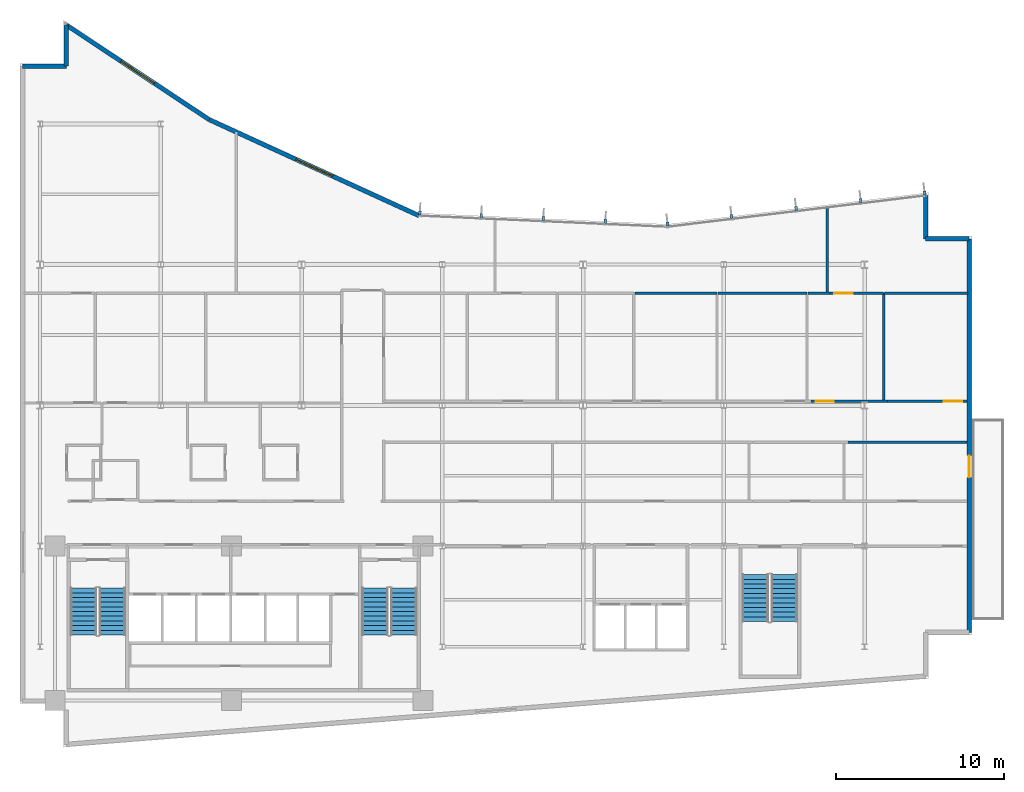
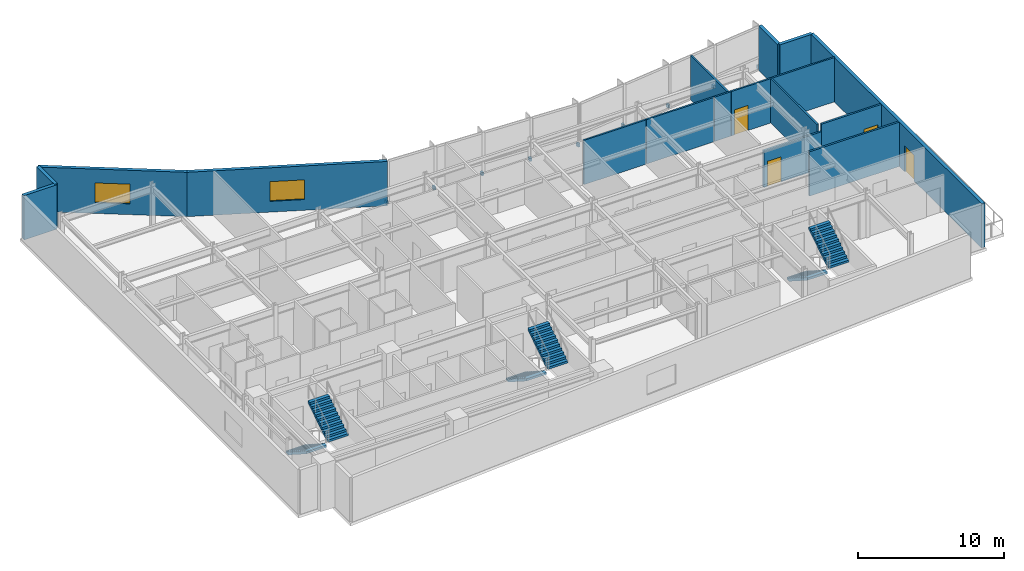
# One storey, part 12 of 17: 17 walls, 9 discrete accessories, 6 stair flights, 4 doors, 2 windows, 6 openings, 3 elements without a shape of their own.
"""IFC4 building model written with IfcOpenShell, lengths in metres."""

from ifc_helpers import new_model, si_unit, direction, frame, frame_2d, origin, origin_2d, place, context, subcontext, project, spatial, polyline, rectangle, outline, extrude, material, layer, layer_set, type_object, element, fill, aggregate, save


model = new_model("IFC4")

# Units and contexts
model_context = context("Model", 3, precision=1e-05, world=origin(), true_north=direction((0.0, 1.0)))
body_context = subcontext(model_context, "Body", "Model", "MODEL_VIEW")
ifc_project = project(units=[si_unit("LENGTHUNIT", "METRE"), si_unit("AREAUNIT", "SQUARE_METRE"), si_unit("VOLUMEUNIT", "CUBIC_METRE"), si_unit("PLANEANGLEUNIT", "RADIAN"), si_unit("MASSUNIT", "GRAM", prefix="KILO")], contexts=[model_context])

# Site, building, storey
site_placement = place(None, origin())
site = spatial("IfcSite", under=ifc_project, at=site_placement, CompositionType="ELEMENT")
building_placement = place(site_placement, origin())
building = spatial("IfcBuilding", under=site, at=building_placement, Name="Varnakote Quay Hospital", CompositionType="ELEMENT")
storey_placement = place(building_placement, frame((0.0, 0.0, 111.25)))
storey = spatial("IfcBuildingStorey", under=building, at=storey_placement, Name="L27", CompositionType="ELEMENT", Elevation=111.25)

# Wall, opening, door
ifc_material_1 = material(Name="Precast concrete N50 (f'c 50 MPa)", Category="concrete")
ifc_layer_1 = layer(ifc_material_1, 0.260009765625)
ifc_layer_set_1 = layer_set([ifc_layer_1], Name="Precast concrete N50 (f'c 50 MPa)")
wall_type_1 = type_object("IfcWallType", Name="WL-EXT-BRICK-260", PredefinedType="STANDARD", material=ifc_layer_set_1)
wall_1_placement = place(storey_placement, frame((56.639892578125, 6.860107421875, 0.0), z_axis=(0.0, 0.0, 1.0), x_axis=(0.0, 1.0, 0.0)))
wall_1 = element("IfcWall", 1, at=wall_1_placement, inside=storey, type_object=wall_type_1, Name="L27 Healing Terrace Portal Brick Wall", PredefinedType="STANDARD", context=body_context, shape_type="SweptSolid", body=[
    extrude(rectangle(XDim=23.47998046875, YDim=0.260009765625, at=frame_2d((11.739990234375, 0.0))), origin(), (0.0, 0.0, 1.0), 3.7099609375),
])
opening_1_placement = place(wall_1_placement, frame((9.239990234375, 0.0, 0.0)))
opening_1 = element("IfcOpeningElement", 2, at=opening_1_placement, cuts=wall_1, Name="Opening DT-L27", PredefinedType="OPENING", context=body_context, shape_type="SweptSolid", body=[
    extrude(rectangle(XDim=1.300048828125, YDim=2.14990234375, at=frame_2d((0.64990234375, 1.074951171875))), frame((0.0, 0.139892578125, 0.0), z_axis=(0.0, -1.0, 0.0), x_axis=(1.0, 0.0, 0.0)), (0.0, 0.0, 1.0), 0.280029296875),
])
ifc_material_2 = material(Name="Anodised aluminium glazed terrace door", Category="aluminium")
door_type_1 = type_object("IfcDoorType", Name="DR-EXT-TERR-1300x2150", OperationType="NOTDEFINED", PredefinedType="DOOR", material=ifc_material_2)
door_1_placement = place(opening_1_placement, origin())
door_1 = element("IfcDoor", 3, at=door_1_placement, inside=storey, type_object=door_type_1, Name="L27 Waterfront Healing Terrace Door", OperationType="SINGLE_SWING_RIGHT", OverallHeight=2.14990234375, OverallWidth=1.300048828125, PredefinedType="DOOR", context=body_context, shape_type="SweptSolid", body=[
    extrude(rectangle(XDim=1.300048828125, YDim=2.14990234375, at=frame_2d((0.64990234375, 1.074951171875))), frame((0.0, 0.02490234375, 0.0), z_axis=(0.0, -1.0, 0.0), x_axis=(1.0, 0.0, 0.0)), (0.0, 0.0, 1.0), 0.050048828125),
])
fill(opening_1, door_1)

# Walls
wall_2_placement = place(storey_placement, frame((56.639892578125, 30.340087890625, 0.0), z_axis=(0.0, 0.0, 1.0), x_axis=(-1.0, 0.0, 0.0)))
element("IfcWall", 4, at=wall_2_placement, inside=storey, type_object=wall_type_1, Name="L27 Brick-Faced Precast Exterior Wall", PredefinedType="STANDARD", context=body_context, shape_type="SweptSolid", body=[
    extrude(rectangle(XDim=2.599853515625, YDim=0.260009765625, at=frame_2d((1.2998046875, 0.0))), origin(), (0.0, 0.0, 1.0), 3.7099609375),
])
wall_3_placement = place(storey_placement, frame((54.0400390625, 30.340087890625, 0.0), z_axis=(0.0, 0.0, 1.0), x_axis=(0.0, 1.0, 0.0)))
element("IfcWall", 5, at=wall_3_placement, inside=storey, type_object=wall_type_1, Name="L27 Brick-Faced Precast Exterior Wall", PredefinedType="STANDARD", context=body_context, shape_type="SweptSolid", body=[
    extrude(rectangle(XDim=2.579345703125, YDim=0.260009765625, at=frame_2d((1.28955078125, 0.0))), origin(), (0.0, 0.0, 1.0), 3.7099609375),
])

# Wall, opening, window
wall_4_placement = place(storey_placement, frame((23.817626953125, 31.715576171875, 0.0), z_axis=(0.0, 0.0, 1.0), x_axis=(-0.909209527513, 0.416338846471, 0.0)))
wall_4 = element("IfcWall", 6, at=wall_4_placement, inside=storey, type_object=wall_type_1, Name="L27 Brick-Faced Precast Exterior Wall", PredefinedType="STANDARD", context=body_context, shape_type="SweptSolid", body=[
    extrude(rectangle(XDim=13.787353515625, YDim=0.260009765625, at=frame_2d((6.8935546875, 0.0))), origin(), (0.0, 0.0, 1.0), 3.7099609375),
])
opening_2_placement = place(wall_4_placement, frame((5.693603515625, 0.0, 0.89990234375)))
opening_2 = element("IfcOpeningElement", 7, at=opening_2_placement, cuts=wall_4, Name="Opening WN-0119", PredefinedType="OPENING", context=body_context, shape_type="SweptSolid", body=[
    extrude(rectangle(XDim=2.39990234375, YDim=1.64990234375, at=frame_2d((1.199951171875, 0.824951171875))), frame((0.0, 0.139892578125, 0.0), z_axis=(0.0, -1.0, 0.0), x_axis=(1.0, 0.0, 0.0)), (0.0, 0.0, 1.0), 0.280029296875),
])
ifc_material_3 = material(Name="Double-glazed low-E solar glass", Category="glass")
window_type = type_object("IfcWindowType", Name="WIN-CLIN-2400x1650", PartitioningType="SINGLE_PANEL", PredefinedType="WINDOW", material=ifc_material_3)
window_1_placement = place(opening_2_placement, origin())
window_1 = element("IfcWindow", 8, at=window_1_placement, inside=storey, type_object=window_type, Name="L27 Solar-Control Clinical Window", OverallHeight=1.64990234375, OverallWidth=2.39990234375, PartitioningType="SINGLE_PANEL", PredefinedType="WINDOW", context=body_context, shape_type="SweptSolid", body=[
    extrude(rectangle(XDim=2.39990234375, YDim=1.64990234375, at=frame_2d((1.199951171875, 0.824951171875))), frame((0.0, 0.030029296875, 0.0), z_axis=(0.0, -1.0, 0.0), x_axis=(1.0, 0.0, 0.0)), (0.0, 0.0, 1.0), 0.06005859375),
])
fill(opening_2, window_1)

wall_5_placement = place(storey_placement, frame((11.281982421875, 37.455810546875, 0.0), z_axis=(0.0, 0.0, 1.0), x_axis=(-0.833630474253, 0.552322580017, 0.0)))
wall_5 = element("IfcWall", 9, at=wall_5_placement, inside=storey, type_object=wall_type_1, Name="L27 Brick-Faced Precast Exterior Wall", PredefinedType="STANDARD", context=body_context, shape_type="SweptSolid", body=[
    extrude(rectangle(XDim=10.22265625, YDim=0.260009765625, at=frame_2d((5.111328125, 0.0))), origin(), (0.0, 0.0, 1.0), 3.7099609375),
])
opening_3_placement = place(wall_5_placement, frame((3.911376953125, 0.0, 0.89990234375)))
opening_3 = element("IfcOpeningElement", 10, at=opening_3_placement, cuts=wall_5, Name="Opening WN-0120", PredefinedType="OPENING", context=body_context, shape_type="SweptSolid", body=[
    extrude(rectangle(XDim=2.39990234375, YDim=1.64990234375, at=frame_2d((1.199951171875, 0.824951171875))), frame((0.0, 0.139892578125, 0.0), z_axis=(0.0, -1.0, 0.0), x_axis=(1.0, 0.0, 0.0)), (0.0, 0.0, 1.0), 0.280029296875),
])
window_2_placement = place(opening_3_placement, origin())
window_2 = element("IfcWindow", 11, at=window_2_placement, inside=storey, type_object=window_type, Name="L27 Solar-Control Clinical Window", OverallHeight=1.64990234375, OverallWidth=2.39990234375, PartitioningType="SINGLE_PANEL", PredefinedType="WINDOW", context=body_context, shape_type="SweptSolid", body=[
    extrude(rectangle(XDim=2.39990234375, YDim=1.64990234375, at=frame_2d((1.199951171875, 0.824951171875))), frame((0.0, 0.030029296875, 0.0), z_axis=(0.0, -1.0, 0.0), x_axis=(1.0, 0.0, 0.0)), (0.0, 0.0, 1.0), 0.06005859375),
])
fill(opening_3, window_2)

# Walls
wall_6_placement = place(storey_placement, frame((2.760009765625, 43.10205078125, 0.0), z_axis=(0.0, 0.0, 1.0), x_axis=(0.0, -1.0, 0.0)))
element("IfcWall", 12, at=wall_6_placement, inside=storey, type_object=wall_type_1, Name="L27 Brick-Faced Precast Exterior Wall", PredefinedType="STANDARD", context=body_context, shape_type="SweptSolid", body=[
    extrude(rectangle(XDim=2.462158203125, YDim=0.260009765625, at=frame_2d((1.23095703125, 0.0))), origin(), (0.0, 0.0, 1.0), 3.7099609375),
])
wall_7_placement = place(storey_placement, frame((2.760009765625, 40.639892578125, 0.0), z_axis=(0.0, 0.0, 1.0), x_axis=(-1.0, 0.0, 0.0)))
element("IfcWall", 13, at=wall_7_placement, inside=storey, type_object=wall_type_1, Name="L27 Brick-Faced Precast Exterior Wall", PredefinedType="STANDARD", context=body_context, shape_type="SweptSolid", body=[
    extrude(rectangle(XDim=2.60009765625, YDim=0.260009765625, at=frame_2d((1.300048828125, 0.0))), origin(), (0.0, 0.0, 1.0), 3.7099609375),
])
ifc_material_4 = material(Name="Smoke-proof clinical partition", Category="gypsum")
ifc_layer_2 = layer(ifc_material_4, 0.135009765625)
ifc_layer_set_2 = layer_set([ifc_layer_2], Name="Smoke-proof clinical partition")
wall_type_2 = type_object("IfcWallType", Name="WL-SMOKE-135", PredefinedType="PARTITIONING", material=ifc_layer_set_2)
wall_8_placement = place(storey_placement, frame((41.60009765625, 27.10009765625, 0.0), z_axis=(0.0, 0.0, 1.0), x_axis=(-1.0, 0.0, 0.0)))
element("IfcWall", 14, at=wall_8_placement, inside=storey, type_object=wall_type_2, Name="L27 Clinical Interior Partition", PredefinedType="PARTITIONING", context=body_context, shape_type="SweptSolid", body=[
    extrude(rectangle(XDim=4.91259765625, YDim=0.135009765625, at=frame_2d((2.456298828125, 0.0))), origin(), (0.0, 0.0, 1.0), 3.7099609375),
])
wall_9_placement = place(storey_placement, frame((46.969970703125, 27.10009765625, 0.0), z_axis=(0.0, 0.0, 1.0), x_axis=(-1.0, 0.0, 0.0)))
element("IfcWall", 15, at=wall_9_placement, inside=storey, type_object=wall_type_2, Name="L27 Clinical Interior Partition", PredefinedType="PARTITIONING", context=body_context, shape_type="SweptSolid", body=[
    extrude(rectangle(XDim=5.3125, YDim=0.135009765625, at=frame_2d((2.65625, 0.0))), origin(), (0.0, 0.0, 1.0), 3.7099609375),
])
wall_10_placement = place(storey_placement, frame((51.5400390625, 20.715087890625, 0.0), z_axis=(0.0, 0.0, 1.0), x_axis=(0.0, 1.0, 0.0)))
element("IfcWall", 16, at=wall_10_placement, inside=storey, type_object=wall_type_2, Name="L27 Clinical Interior Partition", PredefinedType="PARTITIONING", context=body_context, shape_type="SweptSolid", body=[
    extrude(rectangle(XDim=6.385009765625, YDim=0.135009765625, at=frame_2d((3.1923828125, 0.0))), origin(), (0.0, 0.0, 1.0), 3.7099609375),
])
wall_11_placement = place(storey_placement, frame((48.348388671875, 27.10009765625, 0.0), z_axis=(0.0, 0.0, 1.0), x_axis=(-1.0, 0.0, 0.0)))
element("IfcWall", 17, at=wall_11_placement, inside=storey, type_object=wall_type_2, Name="L27 Clinical Interior Partition", PredefinedType="PARTITIONING", context=body_context, shape_type="SweptSolid", body=[
    extrude(rectangle(XDim=1.32080078125, YDim=0.135009765625, at=frame_2d((0.660400390625, 0.0))), origin(), (0.0, 0.0, 1.0), 3.7099609375),
])

# Wall, opening, door
wall_12_placement = place(storey_placement, frame((51.5400390625, 27.10009765625, 0.0), z_axis=(0.0, 0.0, 1.0), x_axis=(-1.0, 0.0, 0.0)))
wall_12 = element("IfcWall", 18, at=wall_12_placement, inside=storey, type_object=wall_type_2, Name="L27 Clinical Interior Partition", PredefinedType="PARTITIONING", context=body_context, shape_type="SweptSolid", body=[
    extrude(rectangle(XDim=3.189453125, YDim=0.135009765625, at=frame_2d((1.5947265625, 0.0))), origin(), (0.0, 0.0, 1.0), 3.7099609375),
])
opening_4_placement = place(wall_12_placement, frame((1.847412109375, 0.0, 0.0)))
opening_4 = element("IfcOpeningElement", 19, at=opening_4_placement, cuts=wall_12, Name="Opening D-L27-MD18", PredefinedType="OPENING", context=body_context, shape_type="SweptSolid", body=[
    extrude(rectangle(XDim=1.10009765625, YDim=2.10009765625, at=frame_2d((0.550048828125, 1.050048828125))), frame((0.0, 0.077392578125, 0.0), z_axis=(0.0, -1.0, 0.0), x_axis=(1.0, 0.0, 0.0)), (0.0, 0.0, 1.0), 0.155029296875),
])
ifc_material_5 = material(Name="Acoustic timber clinical consult door", Category="wood")
door_type_2 = type_object("IfcDoorType", Name="DR-CLIN-FD30S-1100x2100", OperationType="NOTDEFINED", PredefinedType="DOOR", material=ifc_material_5)
door_2_placement = place(opening_4_placement, origin())
door_2 = element("IfcDoor", 20, at=door_2_placement, inside=storey, type_object=door_type_2, Name="L27 Maternity Assessment Treatment Suite Door", OperationType="SINGLE_SWING_RIGHT", OverallHeight=2.10009765625, OverallWidth=1.10009765625, PredefinedType="DOOR", context=body_context, shape_type="SweptSolid", body=[
    extrude(rectangle(XDim=1.10009765625, YDim=2.10009765625, at=frame_2d((0.550048828125, 1.050048828125))), frame((0.0, 0.02490234375, 0.0), z_axis=(0.0, -1.0, 0.0), x_axis=(1.0, 0.0, 0.0)), (0.0, 0.0, 1.0), 0.050048828125),
])
fill(opening_4, door_2)

# Walls
wall_13_placement = place(storey_placement, frame((56.56005859375, 27.10009765625, 0.0), z_axis=(0.0, 0.0, 1.0), x_axis=(-1.0, 0.0, 0.0)))
element("IfcWall", 21, at=wall_13_placement, inside=storey, type_object=wall_type_2, Name="L27 Clinical Interior Partition", PredefinedType="PARTITIONING", context=body_context, shape_type="SweptSolid", body=[
    extrude(rectangle(XDim=4.962646484375, YDim=0.135009765625, at=frame_2d((2.4814453125, 0.0))), origin(), (0.0, 0.0, 1.0), 3.7099609375),
])
wall_14_placement = place(storey_placement, frame((48.169921875, 27.157470703125, 0.0), z_axis=(0.0, 0.0, 1.0), x_axis=(0.0, 1.0, 0.0)))
element("IfcWall", 22, at=wall_14_placement, inside=storey, type_object=wall_type_2, Name="L27 Clinical Interior Partition", PredefinedType="PARTITIONING", context=body_context, shape_type="SweptSolid", body=[
    extrude(rectangle(XDim=5.050537109375, YDim=0.135009765625, at=frame_2d((2.525390625, 0.0))), origin(), (0.0, 0.0, 1.0), 3.7099609375),
])
ifc_material_6 = material(Name="Fire-rated clinical gypsum partition", Category="gypsum")
ifc_layer_3 = layer(ifc_material_6, 0.14990234375)
ifc_layer_set_3 = layer_set([ifc_layer_3], Name="Fire-rated clinical gypsum partition")
wall_type_3 = type_object("IfcWallType", Name="WL-WARD-150", PredefinedType="PARTITIONING", material=ifc_layer_set_3)
wall_15_placement = place(storey_placement, frame((49.39794921875, 18.199951171875, 0.0), z_axis=(0.0, 0.0, 1.0), x_axis=(1.0, 0.0, 0.0)))
element("IfcWall", 23, at=wall_15_placement, inside=storey, type_object=wall_type_3, Name="L27 Clinical Interior Partition", PredefinedType="PARTITIONING", context=body_context, shape_type="SweptSolid", body=[
    extrude(rectangle(XDim=7.1220703125, YDim=0.14990234375, at=frame_2d((3.56103515625, 0.0))), origin(), (0.0, 0.0, 1.0), 3.7099609375),
])

# Wall, opening, door
wall_16_placement = place(storey_placement, frame((51.76611328125, 20.64990234375, 0.0), z_axis=(0.0, 0.0, 1.0), x_axis=(-1.0, 0.0, 0.0)))
wall_16 = element("IfcWall", 24, at=wall_16_placement, inside=storey, type_object=wall_type_3, Name="L27 Clinical Interior Partition", PredefinedType="PARTITIONING", context=body_context, shape_type="SweptSolid", body=[
    extrude(rectangle(XDim=4.568115234375, YDim=0.14990234375, at=frame_2d((2.2841796875, 0.0))), origin(), (0.0, 0.0, 1.0), 3.0830078125),
])
opening_5_placement = place(wall_16_placement, frame((3.19140625, 0.0, 0.0)))
opening_5 = element("IfcOpeningElement", 25, at=opening_5_placement, cuts=wall_16, Name="Opening D-L27-MD13", PredefinedType="OPENING", context=body_context, shape_type="SweptSolid", body=[
    extrude(rectangle(XDim=1.10009765625, YDim=2.10009765625, at=frame_2d((0.550048828125, 1.050048828125))), frame((0.0, 0.0849609375, 0.0), z_axis=(0.0, -1.0, 0.0), x_axis=(1.0, 0.0, 0.0)), (0.0, 0.0, 1.0), 0.169921875),
])
door_3_placement = place(opening_5_placement, origin())
door_3 = element("IfcDoor", 26, at=door_3_placement, inside=storey, type_object=door_type_2, Name="L27 Paediatric Clinical Teaching Room Door", OperationType="SINGLE_SWING_RIGHT", OverallHeight=2.10009765625, OverallWidth=1.10009765625, PredefinedType="DOOR", context=body_context, shape_type="SweptSolid", body=[
    extrude(rectangle(XDim=1.10009765625, YDim=2.10009765625, at=frame_2d((0.550048828125, 1.050048828125))), frame((0.0, 0.02490234375, 0.0), z_axis=(0.0, -1.0, 0.0), x_axis=(1.0, 0.0, 0.0)), (0.0, 0.0, 1.0), 0.050048828125),
])
fill(opening_5, door_3)

wall_17_placement = place(storey_placement, frame((56.52001953125, 20.64990234375, 0.0), z_axis=(0.0, 0.0, 1.0), x_axis=(-1.0, 0.0, 0.0)))
wall_17 = element("IfcWall", 27, at=wall_17_placement, inside=storey, type_object=wall_type_3, Name="L27 Clinical Interior Partition", PredefinedType="PARTITIONING", context=body_context, shape_type="SweptSolid", body=[
    extrude(rectangle(XDim=4.751953125, YDim=0.14990234375, at=frame_2d((2.3759765625, 0.0))), origin(), (0.0, 0.0, 1.0), 3.7099609375),
])
opening_6_placement = place(wall_17_placement, frame((0.28125, 0.0, 0.0)))
opening_6 = element("IfcOpeningElement", 28, at=opening_6_placement, cuts=wall_17, Name="Opening D-L27-MD14", PredefinedType="OPENING", context=body_context, shape_type="SweptSolid", body=[
    extrude(rectangle(XDim=1.10009765625, YDim=2.10009765625, at=frame_2d((0.550048828125, 1.050048828125))), frame((0.0, 0.0849609375, 0.0), z_axis=(0.0, -1.0, 0.0), x_axis=(1.0, 0.0, 0.0)), (0.0, 0.0, 1.0), 0.169921875),
])
door_4_placement = place(opening_6_placement, origin())
door_4 = element("IfcDoor", 29, at=door_4_placement, inside=storey, type_object=door_type_2, Name="L27 Maternity Assessment Treatment Suite Door", OperationType="SINGLE_SWING_LEFT", OverallHeight=2.10009765625, OverallWidth=1.10009765625, PredefinedType="DOOR", context=body_context, shape_type="SweptSolid", body=[
    extrude(rectangle(XDim=1.10009765625, YDim=2.10009765625, at=frame_2d((0.550048828125, 1.050048828125))), frame((0.0, 0.02490234375, 0.0), z_axis=(0.0, -1.0, 0.0), x_axis=(1.0, 0.0, 0.0)), (0.0, 0.0, 1.0), 0.050048828125),
])
fill(opening_6, door_4)

# Stair, stair flights
ifc_material_7 = material(Name="Concrete N40 (f'c 40 MPa)", Category="concrete")
stair_type = type_object("IfcStairType", Name="STR-CORE-1580", PredefinedType="HALF_TURN_STAIR", material=ifc_material_7)
stair_1_placement = place(storey_placement, origin())
stair_1 = element("IfcStair", 30, at=stair_1_placement, inside=storey, type_object=stair_type, Name="L27 Fire-Isolated Exit Stair ST-01", PredefinedType="HALF_TURN_STAIR")
ifc_material_8 = material(Name="Concrete N40 (f'c 40 MPa)", Category="concrete")
ifc_layer_4 = layer(ifc_material_8, 0.159912109375)
ifc_layer_set_4 = layer_set([ifc_layer_4], Name="Concrete N40 (f'c 40 MPa)")
stair_flight_type = type_object("IfcStairFlightType", Name="FLT-CORE-1580", PredefinedType="STRAIGHT", material=ifc_layer_set_4)
stair_flight_1_placement = place(storey_placement, frame((3.7900390625, 9.5, 0.0), z_axis=(0.0, 0.0, 1.0), x_axis=(0.0, -1.0, 0.0)))
stair_flight_1 = element("IfcStairFlight", 31, at=stair_flight_1_placement, type_object=stair_flight_type, Name="ST-01 flight 1", NumberOfRisers=11, NumberOfTreads=10, PredefinedType="STRAIGHT", RiserHeight=0.179545455, TreadLength=0.28, context=body_context, shape_type="SweptSolid", body=[
    extrude(outline(polyline([(0.0, 0.0), (0.0, 0.179443359375), (0.280029296875, 0.179443359375), (0.280029296875, 0.359130859375), (0.56005859375, 0.359130859375), (0.56005859375, 0.53857421875), (0.840087890625, 0.53857421875), (0.840087890625, 0.71826171875), (1.1201171875, 0.71826171875), (1.1201171875, 0.897705078125), (1.39990234375, 0.897705078125), (1.39990234375, 1.077392578125), (1.679931640625, 1.077392578125), (1.679931640625, 1.2568359375), (1.9599609375, 1.2568359375), (1.9599609375, 1.436279296875), (2.239990234375, 1.436279296875), (2.239990234375, 1.615966796875), (2.52001953125, 1.615966796875), (2.52001953125, 1.79541015625), (2.800048828125, 1.79541015625), (2.800048828125, 1.97509765625), (2.800048828125, 1.60546875), (0.296142578125, 0.0), (0.0, 0.0)])), frame((0.0, 0.7900390625, 0.0), z_axis=(0.0, -1.0, 0.0), x_axis=(1.0, 0.0, 0.0)), (0.0, 0.0, 1.0), 1.580078125),
])
stair_flight_2_placement = place(storey_placement, frame((5.510009765625, 6.699951171875, 1.97509765625), z_axis=(0.0, 0.0, 1.0), x_axis=(0.0, 1.0, 0.0)))
stair_flight_2 = element("IfcStairFlight", 32, at=stair_flight_2_placement, type_object=stair_flight_type, Name="ST-01 flight 2", NumberOfRisers=11, NumberOfTreads=10, PredefinedType="STRAIGHT", RiserHeight=0.179545455, TreadLength=0.28, context=body_context, shape_type="SweptSolid", body=[
    extrude(outline(polyline([(0.0, 0.0), (0.0, 0.179443359375), (0.280029296875, 0.179443359375), (0.280029296875, 0.359130859375), (0.56005859375, 0.359130859375), (0.56005859375, 0.53857421875), (0.840087890625, 0.53857421875), (0.840087890625, 0.71826171875), (1.1201171875, 0.71826171875), (1.1201171875, 0.897705078125), (1.39990234375, 0.897705078125), (1.39990234375, 1.077392578125), (1.679931640625, 1.077392578125), (1.679931640625, 1.2568359375), (1.9599609375, 1.2568359375), (1.9599609375, 1.436279296875), (2.239990234375, 1.436279296875), (2.239990234375, 1.615966796875), (2.52001953125, 1.615966796875), (2.52001953125, 1.79541015625), (2.800048828125, 1.79541015625), (2.800048828125, 1.97509765625), (2.800048828125, 1.60546875), (0.296142578125, 0.0), (0.0, 0.0)])), frame((0.0, 0.7900390625, 0.0), z_axis=(0.0, -1.0, 0.0), x_axis=(1.0, 0.0, 0.0)), (0.0, 0.0, 1.0), 1.580078125),
])
aggregate(stair_1, [stair_flight_1, stair_flight_2])

stair_2_placement = place(storey_placement, origin())
stair_2 = element("IfcStair", 33, at=stair_2_placement, inside=storey, type_object=stair_type, Name="L27 Fire-Isolated Exit Stair ST-02", PredefinedType="HALF_TURN_STAIR")
stair_flight_3_placement = place(storey_placement, frame((21.18994140625, 9.5, 0.0), z_axis=(0.0, 0.0, 1.0), x_axis=(0.0, -1.0, 0.0)))
stair_flight_3 = element("IfcStairFlight", 34, at=stair_flight_3_placement, type_object=stair_flight_type, Name="ST-02 flight 1", NumberOfRisers=11, NumberOfTreads=10, PredefinedType="STRAIGHT", RiserHeight=0.179545455, TreadLength=0.28, context=body_context, shape_type="SweptSolid", body=[
    extrude(outline(polyline([(0.0, 0.0), (0.0, 0.179443359375), (0.280029296875, 0.179443359375), (0.280029296875, 0.359130859375), (0.56005859375, 0.359130859375), (0.56005859375, 0.53857421875), (0.840087890625, 0.53857421875), (0.840087890625, 0.71826171875), (1.1201171875, 0.71826171875), (1.1201171875, 0.897705078125), (1.39990234375, 0.897705078125), (1.39990234375, 1.077392578125), (1.679931640625, 1.077392578125), (1.679931640625, 1.2568359375), (1.9599609375, 1.2568359375), (1.9599609375, 1.436279296875), (2.239990234375, 1.436279296875), (2.239990234375, 1.615966796875), (2.52001953125, 1.615966796875), (2.52001953125, 1.79541015625), (2.800048828125, 1.79541015625), (2.800048828125, 1.97509765625), (2.800048828125, 1.60546875), (0.296142578125, 0.0), (0.0, 0.0)])), frame((0.0, 0.7900390625, 0.0), z_axis=(0.0, -1.0, 0.0), x_axis=(1.0, 0.0, 0.0)), (0.0, 0.0, 1.0), 1.580078125),
])
stair_flight_4_placement = place(storey_placement, frame((22.909912109375, 6.699951171875, 1.97509765625), z_axis=(0.0, 0.0, 1.0), x_axis=(0.0, 1.0, 0.0)))
stair_flight_4 = element("IfcStairFlight", 35, at=stair_flight_4_placement, type_object=stair_flight_type, Name="ST-02 flight 2", NumberOfRisers=11, NumberOfTreads=10, PredefinedType="STRAIGHT", RiserHeight=0.179545455, TreadLength=0.28, context=body_context, shape_type="SweptSolid", body=[
    extrude(outline(polyline([(0.0, 0.0), (0.0, 0.179443359375), (0.280029296875, 0.179443359375), (0.280029296875, 0.359130859375), (0.56005859375, 0.359130859375), (0.56005859375, 0.53857421875), (0.840087890625, 0.53857421875), (0.840087890625, 0.71826171875), (1.1201171875, 0.71826171875), (1.1201171875, 0.897705078125), (1.39990234375, 0.897705078125), (1.39990234375, 1.077392578125), (1.679931640625, 1.077392578125), (1.679931640625, 1.2568359375), (1.9599609375, 1.2568359375), (1.9599609375, 1.436279296875), (2.239990234375, 1.436279296875), (2.239990234375, 1.615966796875), (2.52001953125, 1.615966796875), (2.52001953125, 1.79541015625), (2.800048828125, 1.79541015625), (2.800048828125, 1.97509765625), (2.800048828125, 1.60546875), (0.296142578125, 0.0), (0.0, 0.0)])), frame((0.0, 0.7900390625, 0.0), z_axis=(0.0, -1.0, 0.0), x_axis=(1.0, 0.0, 0.0)), (0.0, 0.0, 1.0), 1.580078125),
])
aggregate(stair_2, [stair_flight_3, stair_flight_4])

stair_3_placement = place(storey_placement, origin())
stair_3 = element("IfcStair", 36, at=stair_3_placement, inside=storey, type_object=stair_type, Name="L27 Fire-Isolated Exit Stair ST-03", PredefinedType="HALF_TURN_STAIR")
stair_flight_5_placement = place(storey_placement, frame((43.889892578125, 10.300048828125, 0.0), z_axis=(0.0, 0.0, 1.0), x_axis=(0.0, -1.0, 0.0)))
stair_flight_5 = element("IfcStairFlight", 37, at=stair_flight_5_placement, type_object=stair_flight_type, Name="ST-03 flight 1", NumberOfRisers=11, NumberOfTreads=10, PredefinedType="STRAIGHT", RiserHeight=0.179545455, TreadLength=0.28, context=body_context, shape_type="SweptSolid", body=[
    extrude(outline(polyline([(0.0, 0.0), (0.0, 0.179443359375), (0.280029296875, 0.179443359375), (0.280029296875, 0.359130859375), (0.56005859375, 0.359130859375), (0.56005859375, 0.53857421875), (0.840087890625, 0.53857421875), (0.840087890625, 0.71826171875), (1.1201171875, 0.71826171875), (1.1201171875, 0.897705078125), (1.39990234375, 0.897705078125), (1.39990234375, 1.077392578125), (1.679931640625, 1.077392578125), (1.679931640625, 1.2568359375), (1.9599609375, 1.2568359375), (1.9599609375, 1.436279296875), (2.239990234375, 1.436279296875), (2.239990234375, 1.615966796875), (2.52001953125, 1.615966796875), (2.52001953125, 1.79541015625), (2.800048828125, 1.79541015625), (2.800048828125, 1.97509765625), (2.800048828125, 1.60546875), (0.296142578125, 0.0), (0.0, 0.0)])), frame((0.0, 0.7900390625, 0.0), z_axis=(0.0, -1.0, 0.0), x_axis=(1.0, 0.0, 0.0)), (0.0, 0.0, 1.0), 1.580078125),
])
stair_flight_6_placement = place(storey_placement, frame((45.610107421875, 7.5, 1.97509765625), z_axis=(0.0, 0.0, 1.0), x_axis=(0.0, 1.0, 0.0)))
stair_flight_6 = element("IfcStairFlight", 38, at=stair_flight_6_placement, type_object=stair_flight_type, Name="ST-03 flight 2", NumberOfRisers=11, NumberOfTreads=10, PredefinedType="STRAIGHT", RiserHeight=0.179545455, TreadLength=0.28, context=body_context, shape_type="SweptSolid", body=[
    extrude(outline(polyline([(0.0, 0.0), (0.0, 0.179443359375), (0.280029296875, 0.179443359375), (0.280029296875, 0.359130859375), (0.56005859375, 0.359130859375), (0.56005859375, 0.53857421875), (0.840087890625, 0.53857421875), (0.840087890625, 0.71826171875), (1.1201171875, 0.71826171875), (1.1201171875, 0.897705078125), (1.39990234375, 0.897705078125), (1.39990234375, 1.077392578125), (1.679931640625, 1.077392578125), (1.679931640625, 1.2568359375), (1.9599609375, 1.2568359375), (1.9599609375, 1.436279296875), (2.239990234375, 1.436279296875), (2.239990234375, 1.615966796875), (2.52001953125, 1.615966796875), (2.52001953125, 1.79541015625), (2.800048828125, 1.79541015625), (2.800048828125, 1.97509765625), (2.800048828125, 1.60546875), (0.296142578125, 0.0), (0.0, 0.0)])), frame((0.0, 0.7900390625, 0.0), z_axis=(0.0, -1.0, 0.0), x_axis=(1.0, 0.0, 0.0)), (0.0, 0.0, 1.0), 1.580078125),
])
aggregate(stair_3, [stair_flight_5, stair_flight_6])

# Discrete accessories
ifc_material_9 = material(Name="Anodised aluminium 6063-T6 Bronze", Category="aluminium")
discrete_accessory_type = type_object("IfcDiscreteAccessoryType", Name="ACC-FIN-BRACKET-180", PredefinedType="BRACKET", material=ifc_material_9)
for number, where, z_axis, x_axis, name in (
    (39, (53.982421875, 33.083740234375, 0.0), (0.0, 0.0, 1.0), (-0.992736358975, -0.120310105847, 0.0), "L27 Curtain Wall Fin Fixing Bracket"),
    (40, (50.1669921875, 32.62109375, 0.0), (0.0, 0.0, 1.0), (-0.992736358975, -0.120310105847, 0.0), "L27 Curtain Wall Fin Fixing Bracket"),
    (41, (46.314697265625, 32.154296875, 0.0), (0.0, 0.0, 1.0), (-0.992736358975, -0.120310105847, 0.0), "L27 Curtain Wall Fin Fixing Bracket"),
    (42, (42.462158203125, 31.687255859375, 0.0), (0.0, 0.0, 1.0), (-0.992736358975, -0.120310105847, 0.0), "L27 Curtain Wall Fin Fixing Bracket"),
    (43, (38.64697265625, 31.224853515625, 0.0), (0.0, 0.0, 1.0), (-0.992736358975, -0.120310105847, 0.0), "L27 Curtain Wall Fin Fixing Bracket"),
    (44, (34.9345703125, 31.387451171875, 0.0), (0.0, 0.0, 1.0), (-0.998994184858, 0.044839922168, 0.0), "L27 Curtain Wall Fin Fixing Bracket"),
    (45, (31.2314453125, 31.553466796875, 0.0), (0.0, 0.0, 1.0), (-0.998994184858, 0.044839922168, 0.0), "L27 Curtain Wall Fin Fixing Bracket"),
    (46, (27.5283203125, 31.719482421875, 0.0), (0.0, 0.0, 1.0), (-0.998994184858, 0.044839922168, 0.0), "L27 Curtain Wall Fin Fixing Bracket"),
    (47, (23.86279296875, 31.8837890625, 0.0), (0.0, 0.0, 1.0), (-0.998994184858, 0.044839922168, 0.0), "L27 Curtain Wall Fin Fixing Bracket"),
):
    element("IfcDiscreteAccessory", number, at=place(storey_placement, frame(where, z_axis=z_axis, x_axis=x_axis)), inside=storey, type_object=discrete_accessory_type, Name=name, PredefinedType="BRACKET", context=body_context, shape_type="SweptSolid", body=[
        extrude(rectangle(XDim=0.159912109375, YDim=0.239990234375, at=origin_2d()), origin(), (0.0, 0.0, 1.0), 0.280029296875),
    ])

save(model, "model.ifc")
